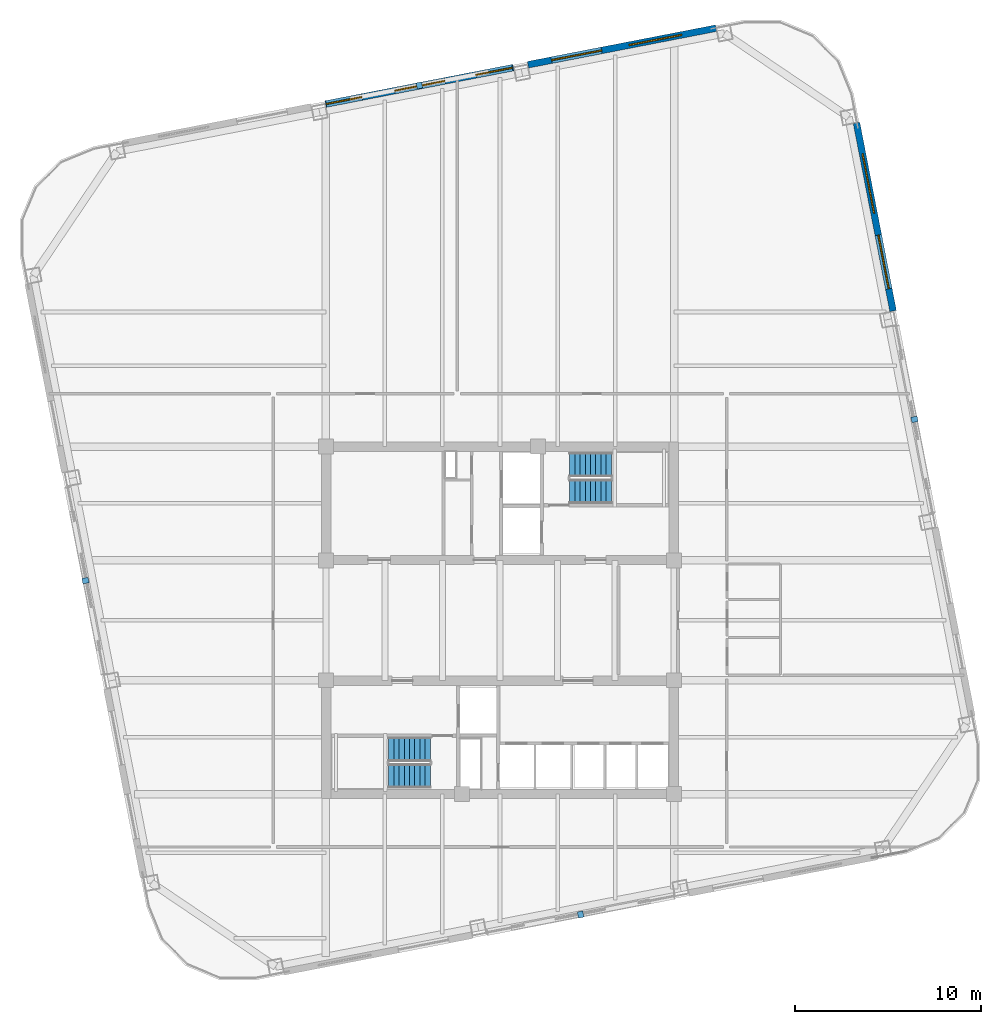
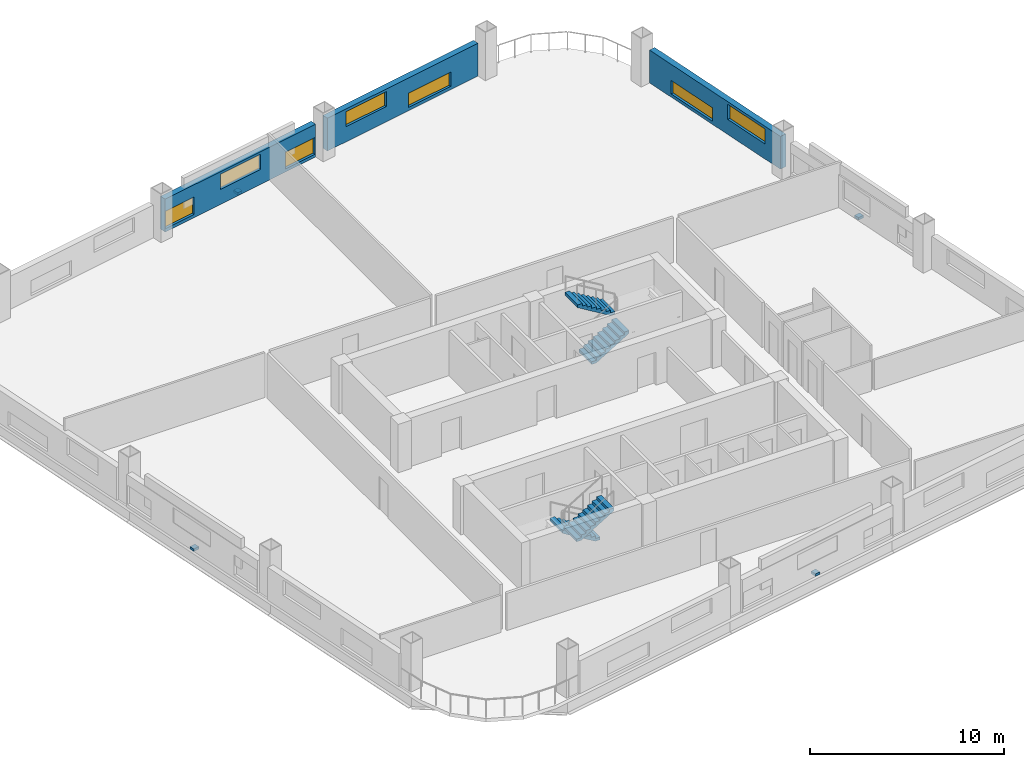
# One storey, part 5 of 8: 7 windows, 4 discrete accessories, 4 stair flights, 3 walls, 7 openings, 2 elements without a shape of their own.
"""IFC4 building model written with IfcOpenShell, lengths in metres."""

from ifc_helpers import new_model, si_unit, direction, frame, frame_2d, origin, origin_2d, place, context, subcontext, project, spatial, polyline, rectangle, outline, extrude, material, layer, layer_set, type_object, element, fill, aggregate, save


model = new_model("IFC4")

# Units and contexts
model_context = context("Model", 3, precision=1e-05, world=origin(), true_north=direction((0.0, 1.0)))
body_context = subcontext(model_context, "Body", "Model", "MODEL_VIEW")
ifc_project = project(units=[si_unit("LENGTHUNIT", "METRE"), si_unit("AREAUNIT", "SQUARE_METRE"), si_unit("VOLUMEUNIT", "CUBIC_METRE"), si_unit("PLANEANGLEUNIT", "RADIAN"), si_unit("MASSUNIT", "GRAM", prefix="KILO")], contexts=[model_context])

# Site, building, storey
site_placement = place(None, origin())
site = spatial("IfcSite", under=ifc_project, at=site_placement, CompositionType="ELEMENT")
building_placement = place(site_placement, origin())
building = spatial("IfcBuilding", under=site, at=building_placement, Name="Qhalaya Broadcast Tower", CompositionType="ELEMENT")
storey_placement = place(building_placement, frame((0.0, 0.0, 115.85009765625)))
storey = spatial("IfcBuildingStorey", under=building, at=storey_placement, Name="L33", CompositionType="ELEMENT", Elevation=115.85009765625)

# Wall, openings, windows
ifc_material_1 = material(Name="Precast Concrete C40/50", Category="concrete")
ifc_layer = layer(ifc_material_1, 0.360107421875, Name="Precast Concrete C40/50")
ifc_layer_set = layer_set([ifc_layer], Name="Precast Concrete C40/50")
wall_type = type_object("IfcWallType", Name="Insulated Precast Terracotta Exterior Wall 360", PredefinedType="SOLIDWALL", material=ifc_layer_set)
wall_1_placement = place(storey_placement, frame((19.189697265625, 27.37646484375, 0.0), z_axis=(0.0, 0.0, 1.0), x_axis=(0.190822765986, -0.981624506612, 0.0)))
wall_1 = element("IfcWall", 1, at=wall_1_placement, inside=storey, type_object=wall_type, Name="L33 Exoskeleton Diagrid Infill Wall E1", PredefinedType="SOLIDWALL", context=body_context, shape_type="SweptSolid", body=[
    extrude(rectangle(XDim=10.31201171875, YDim=0.360107421875, at=frame_2d((5.156005859375, 0.0))), origin(), (0.0, 0.0, 1.0), 2.06689453125),
])
opening_1_placement = place(wall_1_placement, frame((1.699951171875, 0.0, 0.199951171875)))
opening_1 = element("IfcOpeningElement", 2, at=opening_1_placement, cuts=wall_1, Name="Opening W11", PredefinedType="OPENING", context=body_context, shape_type="SweptSolid", body=[
    extrude(rectangle(XDim=3.25, YDim=0.85009765625, at=frame_2d((1.625, 0.425048828125))), frame((0.0, 0.192138671875, 0.0), z_axis=(0.0, -1.0, 0.0), x_axis=(1.0, 0.0, 0.0)), (0.0, 0.0, 1.0), 0.384033203125),
])
opening_2_placement = place(wall_1_placement, frame((6.14990234375, 0.0, 0.949951171875)))
opening_2 = element("IfcOpeningElement", 3, at=opening_2_placement, cuts=wall_1, Name="Opening W11", PredefinedType="OPENING", context=body_context, shape_type="SweptSolid", body=[
    extrude(rectangle(XDim=2.949951171875, YDim=0.949951171875, at=frame_2d((1.47509765625, 0.47509765625))), frame((0.0, 0.192138671875, 0.0), z_axis=(0.0, -1.0, 0.0), x_axis=(1.0, 0.0, 0.0)), (0.0, 0.0, 1.0), 0.384033203125),
])
ifc_material_2 = material(Name="Solar-Control Low-E Triple Glazing", Category="glass")
window_type = type_object("IfcWindowType", Name="Odd-Block Diagrid Infill Window W11", PartitioningType="SINGLE_PANEL", PredefinedType="WINDOW", material=ifc_material_2)
window_1_placement = place(opening_1_placement, origin())
window_1 = element("IfcWindow", 4, at=window_1_placement, inside=storey, type_object=window_type, Name="L33 Diagrid Infill Window W11-E1", OverallHeight=0.85009765625, OverallWidth=3.25, PartitioningType="SINGLE_PANEL", PredefinedType="WINDOW", context=body_context, shape_type="SweptSolid", body=[
    extrude(rectangle(XDim=3.25, YDim=0.85009765625, at=frame_2d((1.625, 0.425048828125))), frame((0.0, 0.030029296875, 0.0), z_axis=(0.0, -1.0, 0.0), x_axis=(1.0, 0.0, 0.0)), (0.0, 0.0, 1.0), 0.06005859375),
])
fill(opening_1, window_1)
window_2_placement = place(opening_2_placement, origin())
window_2 = element("IfcWindow", 5, at=window_2_placement, inside=storey, type_object=window_type, Name="L33 Diagrid Infill Window W11-E2", OverallHeight=0.949951171875, OverallWidth=2.949951171875, PartitioningType="SINGLE_PANEL", PredefinedType="WINDOW", context=body_context, shape_type="SweptSolid", body=[
    extrude(rectangle(XDim=2.949951171875, YDim=0.949951171875, at=frame_2d((1.47509765625, 0.47509765625))), frame((0.0, 0.030029296875, 0.0), z_axis=(0.0, -1.0, 0.0), x_axis=(1.0, 0.0, 0.0)), (0.0, 0.0, 1.0), 0.06005859375),
])
fill(opening_2, window_2)

wall_2_placement = place(storey_placement, frame((-9.388671875, 28.39013671875, 0.0), z_axis=(0.0, 0.0, 1.0), x_axis=(0.981627477005, 0.190807485147, 0.0)))
wall_2 = element("IfcWall", 6, at=wall_2_placement, inside=storey, type_object=wall_type, Name="L33 Exoskeleton Diagrid Infill Wall N2", PredefinedType="SOLIDWALL", context=body_context, shape_type="SweptSolid", body=[
    extrude(rectangle(XDim=10.300048828125, YDim=0.360107421875, at=frame_2d((5.14990234375, 0.0))), origin(), (0.0, 0.0, 1.0), 2.06689453125),
])
opening_3_placement = place(wall_2_placement, frame((0.0380859375, 0.0, 0.199951171875)))
opening_3 = element("IfcOpeningElement", 7, at=opening_3_placement, cuts=wall_2, Name="Opening W11", PredefinedType="OPENING", context=body_context, shape_type="SweptSolid", body=[
    extrude(rectangle(XDim=1.949951171875, YDim=1.10009765625, at=frame_2d((0.97509765625, 0.550048828125))), frame((0.0, 0.192138671875, 0.0), z_axis=(0.0, -1.0, 0.0), x_axis=(1.0, 0.0, 0.0)), (0.0, 0.0, 1.0), 0.384033203125),
])
opening_4_placement = place(wall_2_placement, frame((3.7880859375, 0.0, 0.949951171875)))
opening_4 = element("IfcOpeningElement", 8, at=opening_4_placement, cuts=wall_2, Name="Opening W11", PredefinedType="OPENING", context=body_context, shape_type="SweptSolid", body=[
    extrude(rectangle(XDim=2.75, YDim=0.949951171875, at=frame_2d((1.375, 0.47509765625))), frame((0.0, 0.192138671875, 0.0), z_axis=(0.0, -1.0, 0.0), x_axis=(1.0, 0.0, 0.0)), (0.0, 0.0, 1.0), 0.384033203125),
])
opening_5_placement = place(wall_2_placement, frame((8.238037109375, 0.0, 0.199951171875)))
opening_5 = element("IfcOpeningElement", 9, at=opening_5_placement, cuts=wall_2, Name="Opening W11", PredefinedType="OPENING", context=body_context, shape_type="SweptSolid", body=[
    extrude(rectangle(XDim=2.0, YDim=1.050048828125, at=frame_2d((1.0, 0.52490234375))), frame((0.0, 0.192138671875, 0.0), z_axis=(0.0, -1.0, 0.0), x_axis=(1.0, 0.0, 0.0)), (0.0, 0.0, 1.0), 0.384033203125),
])
window_3_placement = place(opening_3_placement, origin())
window_3 = element("IfcWindow", 10, at=window_3_placement, inside=storey, type_object=window_type, Name="L33 Diagrid Infill Window W11-N3", OverallHeight=1.10009765625, OverallWidth=1.949951171875, PartitioningType="SINGLE_PANEL", PredefinedType="WINDOW", context=body_context, shape_type="SweptSolid", body=[
    extrude(rectangle(XDim=1.949951171875, YDim=1.10009765625, at=frame_2d((0.97509765625, 0.550048828125))), frame((0.0, 0.030029296875, 0.0), z_axis=(0.0, -1.0, 0.0), x_axis=(1.0, 0.0, 0.0)), (0.0, 0.0, 1.0), 0.06005859375),
])
fill(opening_3, window_3)
window_4_placement = place(opening_4_placement, origin())
window_4 = element("IfcWindow", 11, at=window_4_placement, inside=storey, type_object=window_type, Name="L33 Diagrid Infill Window W11-N4", OverallHeight=0.949951171875, OverallWidth=2.75, PartitioningType="SINGLE_PANEL", PredefinedType="WINDOW", context=body_context, shape_type="SweptSolid", body=[
    extrude(rectangle(XDim=2.75, YDim=0.949951171875, at=frame_2d((1.375, 0.47509765625))), frame((0.0, 0.030029296875, 0.0), z_axis=(0.0, -1.0, 0.0), x_axis=(1.0, 0.0, 0.0)), (0.0, 0.0, 1.0), 0.06005859375),
])
fill(opening_4, window_4)
window_5_placement = place(opening_5_placement, origin())
window_5 = element("IfcWindow", 12, at=window_5_placement, inside=storey, type_object=window_type, Name="L33 Diagrid Infill Window W11-N5", OverallHeight=1.050048828125, OverallWidth=2.0, PartitioningType="SINGLE_PANEL", PredefinedType="WINDOW", context=body_context, shape_type="SweptSolid", body=[
    extrude(rectangle(XDim=2.0, YDim=1.050048828125, at=frame_2d((1.0, 0.52490234375))), frame((0.0, 0.030029296875, 0.0), z_axis=(0.0, -1.0, 0.0), x_axis=(1.0, 0.0, 0.0)), (0.0, 0.0, 1.0), 0.06005859375),
])
fill(opening_5, window_5)

wall_3_placement = place(storey_placement, frame((1.50732421875, 30.508056640625, 0.0), z_axis=(0.0, 0.0, 1.0), x_axis=(0.981628941133, 0.190799952646, 0.0)))
wall_3 = element("IfcWall", 13, at=wall_3_placement, inside=storey, type_object=wall_type, Name="L33 Exoskeleton Diagrid Infill Wall N3", PredefinedType="SOLIDWALL", context=body_context, shape_type="SweptSolid", body=[
    extrude(rectangle(XDim=10.31201171875, YDim=0.360107421875, at=frame_2d((5.156005859375, 0.0))), origin(), (0.0, 0.0, 1.0), 2.06689453125),
])
opening_6_placement = place(wall_3_placement, frame((1.2880859375, 0.0, 0.949951171875)))
opening_6 = element("IfcOpeningElement", 14, at=opening_6_placement, cuts=wall_3, Name="Opening W11", PredefinedType="OPENING", context=body_context, shape_type="SweptSolid", body=[
    extrude(rectangle(XDim=2.75, YDim=0.949951171875, at=frame_2d((1.375, 0.47509765625))), frame((0.0, 0.192138671875, 0.0), z_axis=(0.0, -1.0, 0.0), x_axis=(1.0, 0.0, 0.0)), (0.0, 0.0, 1.0), 0.384033203125),
])
opening_7_placement = place(wall_3_placement, frame((5.5380859375, 0.0, 0.199951171875)))
opening_7 = element("IfcOpeningElement", 15, at=opening_7_placement, cuts=wall_3, Name="Opening W11", PredefinedType="OPENING", context=body_context, shape_type="SweptSolid", body=[
    extrude(rectangle(XDim=2.89990234375, YDim=0.89990234375, at=frame_2d((1.449951171875, 0.449951171875))), frame((0.0, 0.192138671875, 0.0), z_axis=(0.0, -1.0, 0.0), x_axis=(1.0, 0.0, 0.0)), (0.0, 0.0, 1.0), 0.384033203125),
])
window_6_placement = place(opening_6_placement, origin())
window_6 = element("IfcWindow", 16, at=window_6_placement, inside=storey, type_object=window_type, Name="L33 Diagrid Infill Window W11-N6", OverallHeight=0.949951171875, OverallWidth=2.75, PartitioningType="SINGLE_PANEL", PredefinedType="WINDOW", context=body_context, shape_type="SweptSolid", body=[
    extrude(rectangle(XDim=2.75, YDim=0.949951171875, at=frame_2d((1.375, 0.47509765625))), frame((0.0, 0.030029296875, 0.0), z_axis=(0.0, -1.0, 0.0), x_axis=(1.0, 0.0, 0.0)), (0.0, 0.0, 1.0), 0.06005859375),
])
fill(opening_6, window_6)
window_7_placement = place(opening_7_placement, origin())
window_7 = element("IfcWindow", 17, at=window_7_placement, inside=storey, type_object=window_type, Name="L33 Diagrid Infill Window W11-N7", OverallHeight=0.89990234375, OverallWidth=2.89990234375, PartitioningType="SINGLE_PANEL", PredefinedType="WINDOW", context=body_context, shape_type="SweptSolid", body=[
    extrude(rectangle(XDim=2.89990234375, YDim=0.89990234375, at=frame_2d((1.449951171875, 0.449951171875))), frame((0.0, 0.030029296875, 0.0), z_axis=(0.0, -1.0, 0.0), x_axis=(1.0, 0.0, 0.0)), (0.0, 0.0, 1.0), 0.06005859375),
])
fill(opening_7, window_7)

# Stair, stair flights
ifc_material_3 = material(Name="Concrete C40/50", Category="concrete")
stair_type = type_object("IfcStairType", Name="Protected Dogleg Core Stair 3150", PredefinedType="TWO_STRAIGHT_RUN_STAIR", material=ifc_material_3)
stair_1_placement = place(storey_placement, origin())
stair_1 = element("IfcStair", 18, at=stair_1_placement, inside=storey, type_object=stair_type, Name="L33 North Core Exit Stair ST-1", PredefinedType="TWO_STRAIGHT_RUN_STAIR")
stair_flight_type = type_object("IfcStairFlightType", Name="Precast Concrete Stair Flight 3150", PredefinedType="STRAIGHT", material=ifc_material_1)
stair_flight_1_placement = place(storey_placement, frame((3.75, 7.5400390625, 0.0), z_axis=(0.0, 0.0, 1.0), x_axis=(1.0, 0.0, 0.0)))
stair_flight_1 = element("IfcStairFlight", 19, at=stair_flight_1_placement, type_object=stair_flight_type, Name="ST-1 flight 1", NumberOfRisers=9, NumberOfTreads=8, PredefinedType="STRAIGHT", RiserHeight=0.169444444, TreadLength=0.28, context=body_context, shape_type="SweptSolid", body=[
    extrude(outline(polyline([(0.0, 0.0), (0.0, 0.16943359375), (0.280029296875, 0.16943359375), (0.280029296875, 0.3388671875), (0.56005859375, 0.3388671875), (0.56005859375, 0.50830078125), (0.840087890625, 0.50830078125), (0.840087890625, 0.677734375), (1.1201171875, 0.677734375), (1.1201171875, 0.84716796875), (1.39990234375, 0.84716796875), (1.39990234375, 1.0166015625), (1.679931640625, 1.0166015625), (1.679931640625, 1.18603515625), (1.9599609375, 1.18603515625), (1.9599609375, 1.35546875), (2.239990234375, 1.35546875), (2.239990234375, 1.52490234375), (2.239990234375, 1.180419921875), (0.28955078125, 0.0), (0.0, 0.0)])), frame((0.0, 0.66015625, 0.0), z_axis=(0.0, -1.0, 0.0), x_axis=(1.0, 0.0, 0.0)), (0.0, 0.0, 1.0), 1.320068359375),
])
stair_flight_2_placement = place(storey_placement, frame((5.989990234375, 8.97998046875, 1.52490234375), z_axis=(0.0, 0.0, 1.0), x_axis=(-1.0, 0.0, 0.0)))
stair_flight_2 = element("IfcStairFlight", 20, at=stair_flight_2_placement, type_object=stair_flight_type, Name="ST-1 flight 2", NumberOfRisers=9, NumberOfTreads=8, PredefinedType="STRAIGHT", RiserHeight=0.169444444, TreadLength=0.28, context=body_context, shape_type="SweptSolid", body=[
    extrude(outline(polyline([(0.0, 0.0), (0.0, 0.16943359375), (0.280029296875, 0.16943359375), (0.280029296875, 0.3388671875), (0.56005859375, 0.3388671875), (0.56005859375, 0.50830078125), (0.840087890625, 0.50830078125), (0.840087890625, 0.677734375), (1.1201171875, 0.677734375), (1.1201171875, 0.84716796875), (1.39990234375, 0.84716796875), (1.39990234375, 1.0166015625), (1.679931640625, 1.0166015625), (1.679931640625, 1.18603515625), (1.9599609375, 1.18603515625), (1.9599609375, 1.35546875), (2.239990234375, 1.35546875), (2.239990234375, 1.52490234375), (2.239990234375, 1.180419921875), (0.28955078125, 0.0), (0.0, 0.0)])), frame((0.0, 0.66015625, 0.0), z_axis=(0.0, -1.0, 0.0), x_axis=(1.0, 0.0, 0.0)), (0.0, 0.0, 1.0), 1.320068359375),
])
aggregate(stair_1, [stair_flight_1, stair_flight_2])

stair_2_placement = place(storey_placement, origin())
stair_2 = element("IfcStair", 21, at=stair_2_placement, inside=storey, type_object=stair_type, Name="L33 South Core Exit Stair ST-2", PredefinedType="TWO_STRAIGHT_RUN_STAIR")
stair_flight_3_placement = place(storey_placement, frame((-3.75, -6.340087890625, 0.0), z_axis=(0.0, 0.0, 1.0), x_axis=(-1.0, 0.0, 0.0)))
stair_flight_3 = element("IfcStairFlight", 22, at=stair_flight_3_placement, type_object=stair_flight_type, Name="ST-2 flight 1", NumberOfRisers=9, NumberOfTreads=8, PredefinedType="STRAIGHT", RiserHeight=0.169444444, TreadLength=0.28, context=body_context, shape_type="SweptSolid", body=[
    extrude(outline(polyline([(0.0, 0.0), (0.0, 0.16943359375), (0.280029296875, 0.16943359375), (0.280029296875, 0.3388671875), (0.56005859375, 0.3388671875), (0.56005859375, 0.50830078125), (0.840087890625, 0.50830078125), (0.840087890625, 0.677734375), (1.1201171875, 0.677734375), (1.1201171875, 0.84716796875), (1.39990234375, 0.84716796875), (1.39990234375, 1.0166015625), (1.679931640625, 1.0166015625), (1.679931640625, 1.18603515625), (1.9599609375, 1.18603515625), (1.9599609375, 1.35546875), (2.239990234375, 1.35546875), (2.239990234375, 1.52490234375), (2.239990234375, 1.180419921875), (0.28955078125, 0.0), (0.0, 0.0)])), frame((0.0, 0.66015625, 0.0), z_axis=(0.0, -1.0, 0.0), x_axis=(1.0, 0.0, 0.0)), (0.0, 0.0, 1.0), 1.320068359375),
])
stair_flight_4_placement = place(storey_placement, frame((-5.989990234375, -7.780029296875, 1.52490234375), z_axis=(0.0, 0.0, 1.0), x_axis=(1.0, 0.0, 0.0)))
stair_flight_4 = element("IfcStairFlight", 23, at=stair_flight_4_placement, type_object=stair_flight_type, Name="ST-2 flight 2", NumberOfRisers=9, NumberOfTreads=8, PredefinedType="STRAIGHT", RiserHeight=0.169444444, TreadLength=0.28, context=body_context, shape_type="SweptSolid", body=[
    extrude(outline(polyline([(0.0, 0.0), (0.0, 0.16943359375), (0.280029296875, 0.16943359375), (0.280029296875, 0.3388671875), (0.56005859375, 0.3388671875), (0.56005859375, 0.50830078125), (0.840087890625, 0.50830078125), (0.840087890625, 0.677734375), (1.1201171875, 0.677734375), (1.1201171875, 0.84716796875), (1.39990234375, 0.84716796875), (1.39990234375, 1.0166015625), (1.679931640625, 1.0166015625), (1.679931640625, 1.18603515625), (1.9599609375, 1.18603515625), (1.9599609375, 1.35546875), (2.239990234375, 1.35546875), (2.239990234375, 1.52490234375), (2.239990234375, 1.180419921875), (0.28955078125, 0.0), (0.0, 0.0)])), frame((0.0, 0.66015625, 0.0), z_axis=(0.0, -1.0, 0.0), x_axis=(1.0, 0.0, 0.0)), (0.0, 0.0, 1.0), 1.320068359375),
])
aggregate(stair_2, [stair_flight_3, stair_flight_4])

# Discrete accessories
ifc_material_4 = material(Name="Structural Steel ASTM A572 Grade 50", Category="steel")
discrete_accessory_type = type_object("IfcDiscreteAccessoryType", Name="Facade Baguette Support Bracket BRK-01", PredefinedType="BRACKET", material=ifc_material_4)
for number, where, z_axis, x_axis, name in (
    (24, (4.337158203125, -15.232421875, 0.0), (0.0, 0.0, 1.0), (0.981627183448, 0.190808995377, 0.0), "L33 Baguette Support Bracket S"),
    (25, (22.3125, 11.4169921875, 0.0), (0.0, 0.0, 1.0), (-0.190808995377, 0.981627183448, 0.0), "L33 Baguette Support Bracket E"),
    (26, (-4.337158203125, 29.392333984375, 0.0), (0.0, 0.0, 1.0), (-0.981627183448, -0.190808995377, 0.0), "L33 Baguette Support Bracket N"),
    (27, (-22.3125, 2.742919921875, 0.0), (0.0, 0.0, 1.0), (0.190808995377, -0.981627183448, 0.0), "L33 Baguette Support Bracket W"),
):
    element("IfcDiscreteAccessory", number, at=place(storey_placement, frame(where, z_axis=z_axis, x_axis=x_axis)), inside=storey, type_object=discrete_accessory_type, Name=name, PredefinedType="BRACKET", context=body_context, shape_type="SweptSolid", body=[
        extrude(rectangle(XDim=0.300048828125, YDim=0.340087890625, at=origin_2d()), origin(), (0.0, 0.0, 1.0), 0.159912109375),
    ])

save(model, "model.ifc")
